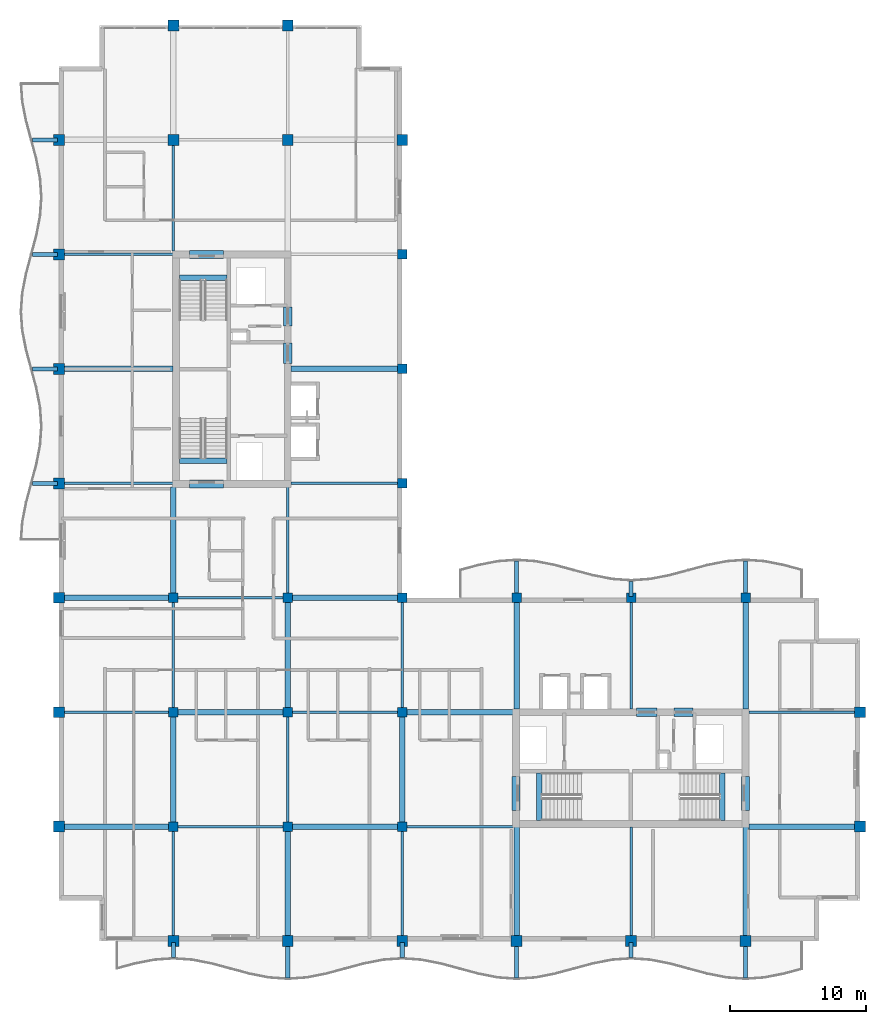
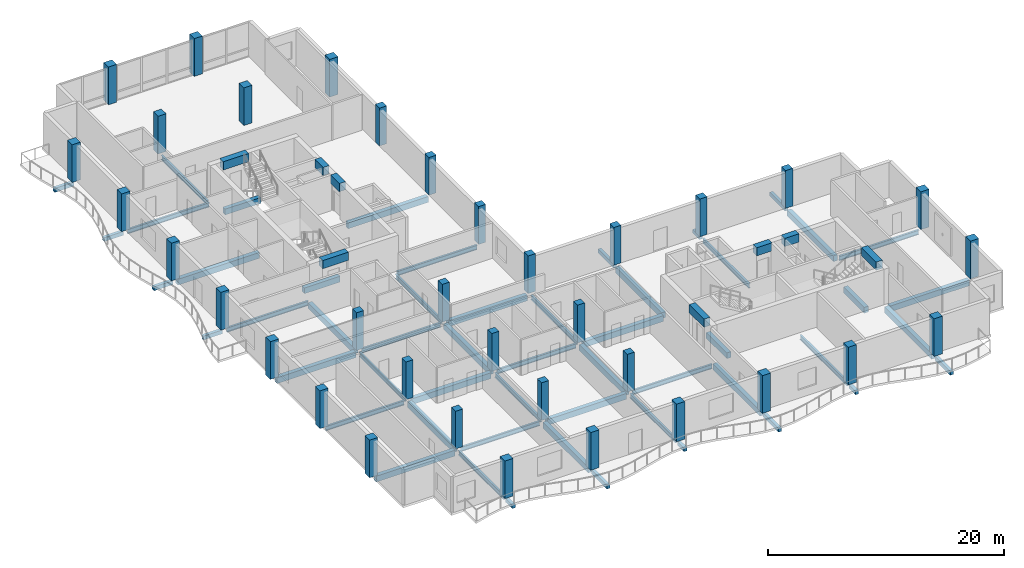
# One storey, part 1 of 17: 61 beams, 35 columns.
"""IFC4 building model written with IfcOpenShell, lengths in metres."""

from ifc_helpers import new_model, si_unit, direction, frame, origin, origin_2d, place, context, subcontext, project, spatial, rectangle, i_section, extrude, material, material_profile, profile_set, type_object, element, save


model = new_model("IFC4")

# Units and contexts
model_context = context("Model", 3, precision=1e-05, world=origin(), true_north=direction((0.0, 1.0)))
body_context = subcontext(model_context, "Body", "Model", "MODEL_VIEW")
ifc_project = project(units=[si_unit("LENGTHUNIT", "METRE"), si_unit("AREAUNIT", "SQUARE_METRE"), si_unit("VOLUMEUNIT", "CUBIC_METRE"), si_unit("PLANEANGLEUNIT", "RADIAN"), si_unit("MASSUNIT", "GRAM", prefix="KILO")], contexts=[model_context])

# Site, building, storey
site_placement = place(None, origin())
site = spatial("IfcSite", under=ifc_project, at=site_placement, CompositionType="ELEMENT")
building_placement = place(site_placement, origin())
building = spatial("IfcBuilding", under=site, at=building_placement, Name="Koriwani Terraces Tower", CompositionType="ELEMENT")
storey_placement = place(building_placement, frame((0.0, 0.0, 316.39990234375)))
storey = spatial("IfcBuildingStorey", under=building, at=storey_placement, Name="L78", CompositionType="ELEMENT", Elevation=316.39990234375)

# Columns
ifc_material_1 = material(Name="Concrete C50/60", Category="concrete")
ifc_material_profile_1 = material_profile(ifc_material_1, rectangle(XDim=0.699951171875, YDim=0.699951171875, at=origin_2d()), Name="Concrete C50/60", Category="LoadBearing")
ifc_profile_set_1 = profile_set([ifc_material_profile_1], Name="Concrete C50/60")
column_type_1 = type_object("IfcColumnType", Name="COL_RC_700X700", PredefinedType="COLUMN", material=ifc_profile_set_1)
for number, where, z_axis, x_axis, name in (
    (1, (16.800048828125, 16.800048828125, 0.0), (0.0, 0.0, 1.0), (1.0, 0.0, 0.0), "L78 Column 3/C"),
    (2, (16.800048828125, 25.199951171875, 0.0), (0.0, 0.0, 1.0), (1.0, 0.0, 0.0), "L78 Column 3/D"),
    (3, (16.800048828125, 33.60009765625, 0.0), (0.0, 0.0, 1.0), (1.0, 0.0, 0.0), "L78 Column 3/E"),
    (4, (25.199951171875, 16.800048828125, 0.0), (0.0, 0.0, 1.0), (1.0, 0.0, 0.0), "L78 Column 4/C"),
    (5, (25.199951171875, 25.199951171875, 0.0), (0.0, 0.0, 1.0), (1.0, 0.0, 0.0), "L78 Column 4/D"),
    (6, (25.199951171875, 33.60009765625, 0.0), (0.0, 0.0, 1.0), (1.0, 0.0, 0.0), "L78 Column 4/E"),
    (7, (33.60009765625, 16.800048828125, 0.0), (0.0, 0.0, 1.0), (1.0, 0.0, 0.0), "L78 Column 5/C"),
    (8, (33.60009765625, 25.199951171875, 0.0), (0.0, 0.0, 1.0), (1.0, 0.0, 0.0), "L78 Column 5/D"),
    (9, (33.60009765625, 33.60009765625, 0.0), (0.0, 0.0, 1.0), (1.0, 0.0, 0.0), "L78 Column 5/E"),
    (10, (33.60009765625, 42.0, 0.0), (0.0, 0.0, 1.0), (1.0, 0.0, 0.0), "L78 Column 5/F"),
    (11, (33.60009765625, 50.39990234375, 0.0), (0.0, 0.0, 1.0), (1.0, 0.0, 0.0), "L78 Column 5/G"),
    (12, (33.60009765625, 58.800048828125, 0.0), (0.0, 0.0, 1.0), (1.0, 0.0, 0.0), "L78 Column 5/H"),
    (13, (42.0, 33.60009765625, 0.0), (0.0, 0.0, 1.0), (1.0, 0.0, 0.0), "L78 Column 6/E"),
    (14, (50.39990234375, 33.60009765625, 0.0), (0.0, 0.0, 1.0), (1.0, 0.0, 0.0), "L78 Column 7/E"),
    (15, (58.800048828125, 33.60009765625, 0.0), (0.0, 0.0, 1.0), (1.0, 0.0, 0.0), "L78 Column 8/E"),
):
    element("IfcColumn", number, at=place(storey_placement, frame(where, z_axis=z_axis, x_axis=x_axis)), inside=storey, type_object=column_type_1, Name=name, PredefinedType="COLUMN", context=body_context, shape_type="SweptSolid", body=[
        extrude(rectangle(XDim=0.699951171875, YDim=0.699951171875, at=origin_2d()), origin(), (0.0, 0.0, 1.0), 3.900146484375),
    ])
ifc_material_profile_2 = material_profile(ifc_material_1, rectangle(XDim=0.800048828125, YDim=0.800048828125, at=origin_2d()), Name="Concrete C50/60", Category="LoadBearing")
ifc_profile_set_2 = profile_set([ifc_material_profile_2], Name="Concrete C50/60")
column_type_2 = type_object("IfcColumnType", Name="COL_RC_800X800", PredefinedType="COLUMN", material=ifc_profile_set_2)
for number, where, z_axis, x_axis, name in (
    (16, (8.39990234375, 16.800048828125, 0.0), (0.0, 0.0, 1.0), (1.0, 0.0, 0.0), "L78 Column 2/C"),
    (17, (8.39990234375, 25.199951171875, 0.0), (0.0, 0.0, 1.0), (1.0, 0.0, 0.0), "L78 Column 2/D"),
    (18, (8.39990234375, 33.60009765625, 0.0), (0.0, 0.0, 1.0), (1.0, 0.0, 0.0), "L78 Column 2/E"),
    (19, (8.39990234375, 42.0, 0.0), (0.0, 0.0, 1.0), (1.0, 0.0, 0.0), "L78 Column 2/F"),
    (20, (8.39990234375, 50.39990234375, 0.0), (0.0, 0.0, 1.0), (1.0, 0.0, 0.0), "L78 Column 2/G"),
    (21, (8.39990234375, 58.800048828125, 0.0), (0.0, 0.0, 1.0), (1.0, 0.0, 0.0), "L78 Column 2/H"),
    (22, (8.39990234375, 67.199951171875, 0.0), (0.0, 0.0, 1.0), (1.0, 0.0, 0.0), "L78 Column 2/I"),
    (23, (16.800048828125, 8.39990234375, 0.0), (0.0, 0.0, 1.0), (1.0, 0.0, 0.0), "L78 Column 3/B"),
    (24, (16.800048828125, 67.199951171875, 0.0), (0.0, 0.0, 1.0), (1.0, 0.0, 0.0), "L78 Column 3/I"),
    (25, (16.800048828125, 75.60009765625, 0.0), (0.0, 0.0, 1.0), (1.0, 0.0, 0.0), "L78 Column 3/J"),
    (26, (25.199951171875, 8.39990234375, 0.0), (0.0, 0.0, 1.0), (1.0, 0.0, 0.0), "L78 Column 4/B"),
    (27, (25.199951171875, 67.199951171875, 0.0), (0.0, 0.0, 1.0), (1.0, 0.0, 0.0), "L78 Column 4/I"),
    (28, (25.199951171875, 75.60009765625, 0.0), (0.0, 0.0, 1.0), (1.0, 0.0, 0.0), "L78 Column 4/J"),
    (29, (33.60009765625, 8.39990234375, 0.0), (0.0, 0.0, 1.0), (1.0, 0.0, 0.0), "L78 Column 5/B"),
    (30, (33.60009765625, 67.199951171875, 0.0), (0.0, 0.0, 1.0), (1.0, 0.0, 0.0), "L78 Column 5/I"),
    (31, (42.0, 8.39990234375, 0.0), (0.0, 0.0, 1.0), (1.0, 0.0, 0.0), "L78 Column 6/B"),
    (32, (50.39990234375, 8.39990234375, 0.0), (0.0, 0.0, 1.0), (1.0, 0.0, 0.0), "L78 Column 7/B"),
    (33, (58.800048828125, 8.39990234375, 0.0), (0.0, 0.0, 1.0), (1.0, 0.0, 0.0), "L78 Column 8/B"),
    (34, (67.199951171875, 16.800048828125, 0.0), (0.0, 0.0, 1.0), (1.0, 0.0, 0.0), "L78 Column 9/C"),
    (35, (67.199951171875, 25.199951171875, 0.0), (0.0, 0.0, 1.0), (1.0, 0.0, 0.0), "L78 Column 9/D"),
):
    element("IfcColumn", number, at=place(storey_placement, frame(where, z_axis=z_axis, x_axis=x_axis)), inside=storey, type_object=column_type_2, Name=name, PredefinedType="COLUMN", context=body_context, shape_type="SweptSolid", body=[
        extrude(rectangle(XDim=0.800048828125, YDim=0.800048828125, at=origin_2d()), origin(), (0.0, 0.0, 1.0), 3.900146484375),
    ])

# Beams
ifc_material_2 = material(Name="Concrete C40/50", Category="concrete")
ifc_material_profile_3 = material_profile(ifc_material_2, rectangle(XDim=0.300048828125, YDim=0.39990234375, at=origin_2d()), Name="Concrete C40/50", Category="LoadBearing")
ifc_profile_set_3 = profile_set([ifc_material_profile_3], Name="Concrete C40/50")
beam_type_1 = type_object("IfcBeamType", Name="BEAM_RC_BALCONY_RIB_300X400", PredefinedType="JOIST", material=ifc_profile_set_3)
beam_1_placement = place(storey_placement, frame((16.800048828125, 7.199951171875, -0.429931640625), z_axis=(0.0, 1.0, 0.0), x_axis=(-1.0, 0.0, 0.0)))
element("IfcBeam", 36, at=beam_1_placement, inside=storey, type_object=beam_type_1, Name="L78 Balcony Bracket Rib S-1", PredefinedType="JOIST", context=body_context, shape_type="SweptSolid", body=[
    extrude(rectangle(XDim=0.300048828125, YDim=0.39990234375, at=origin_2d()), origin(), (0.0, 0.0, 1.0), 1.10009765625),
])
beam_2_placement = place(storey_placement, frame((25.199951171875, 5.699951171875, -0.429931640625), z_axis=(0.0, 1.0, 0.0), x_axis=(-1.0, 0.0, 0.0)))
element("IfcBeam", 37, at=beam_2_placement, inside=storey, type_object=beam_type_1, Name="L78 Balcony Bracket Rib S-2", PredefinedType="JOIST", context=body_context, shape_type="SweptSolid", body=[
    extrude(rectangle(XDim=0.300048828125, YDim=0.39990234375, at=origin_2d()), origin(), (0.0, 0.0, 1.0), 2.60009765625),
])
beam_3_placement = place(storey_placement, frame((33.60009765625, 7.199951171875, -0.429931640625), z_axis=(0.0, 1.0, 0.0), x_axis=(-1.0, 0.0, 0.0)))
element("IfcBeam", 38, at=beam_3_placement, inside=storey, type_object=beam_type_1, Name="L78 Balcony Bracket Rib S-3", PredefinedType="JOIST", context=body_context, shape_type="SweptSolid", body=[
    extrude(rectangle(XDim=0.300048828125, YDim=0.39990234375, at=origin_2d()), origin(), (0.0, 0.0, 1.0), 1.10009765625),
])
beam_4_placement = place(storey_placement, frame((42.0, 5.699951171875, -0.429931640625), z_axis=(0.0, 1.0, 0.0), x_axis=(-1.0, 0.0, 0.0)))
element("IfcBeam", 39, at=beam_4_placement, inside=storey, type_object=beam_type_1, Name="L78 Balcony Bracket Rib S-4", PredefinedType="JOIST", context=body_context, shape_type="SweptSolid", body=[
    extrude(rectangle(XDim=0.300048828125, YDim=0.39990234375, at=origin_2d()), origin(), (0.0, 0.0, 1.0), 2.60009765625),
])
beam_5_placement = place(storey_placement, frame((50.39990234375, 7.199951171875, -0.429931640625), z_axis=(0.0, 1.0, 0.0), x_axis=(-1.0, 0.0, 0.0)))
element("IfcBeam", 40, at=beam_5_placement, inside=storey, type_object=beam_type_1, Name="L78 Balcony Bracket Rib S-5", PredefinedType="JOIST", context=body_context, shape_type="SweptSolid", body=[
    extrude(rectangle(XDim=0.300048828125, YDim=0.39990234375, at=origin_2d()), origin(), (0.0, 0.0, 1.0), 1.10009765625),
])
beam_6_placement = place(storey_placement, frame((58.800048828125, 5.699951171875, -0.429931640625), z_axis=(0.0, 1.0, 0.0), x_axis=(-1.0, 0.0, 0.0)))
element("IfcBeam", 41, at=beam_6_placement, inside=storey, type_object=beam_type_1, Name="L78 Balcony Bracket Rib S-6", PredefinedType="JOIST", context=body_context, shape_type="SweptSolid", body=[
    extrude(rectangle(XDim=0.300048828125, YDim=0.39990234375, at=origin_2d()), origin(), (0.0, 0.0, 1.0), 2.60009765625),
])
for number, where, z_axis, x_axis, name in (
    (42, (6.449951171875, 42.0, -0.429931640625), (1.0, 0.0, 0.0), (0.0, 1.0, 0.0), "L78 Balcony Bracket Rib W-1"),
    (43, (6.449951171875, 50.39990234375, -0.429931640625), (1.0, 0.0, 0.0), (0.0, 1.0, 0.0), "L78 Balcony Bracket Rib W-2"),
    (44, (6.449951171875, 58.800048828125, -0.429931640625), (1.0, 0.0, 0.0), (0.0, 1.0, 0.0), "L78 Balcony Bracket Rib W-3"),
    (45, (6.449951171875, 67.199951171875, -0.429931640625), (1.0, 0.0, 0.0), (0.0, 1.0, 0.0), "L78 Balcony Bracket Rib W-4"),
):
    element("IfcBeam", number, at=place(storey_placement, frame(where, z_axis=z_axis, x_axis=x_axis)), inside=storey, type_object=beam_type_1, Name=name, PredefinedType="JOIST", context=body_context, shape_type="SweptSolid", body=[
        extrude(rectangle(XDim=0.300048828125, YDim=0.39990234375, at=origin_2d()), origin(), (0.0, 0.0, 1.0), 1.85009765625),
    ])
beam_7_placement = place(storey_placement, frame((42.0, 33.699951171875, -0.429931640625), z_axis=(0.0, 1.0, 0.0), x_axis=(-1.0, 0.0, 0.0)))
element("IfcBeam", 46, at=beam_7_placement, inside=storey, type_object=beam_type_1, Name="L78 Balcony Bracket Rib NE-1", PredefinedType="JOIST", context=body_context, shape_type="SweptSolid", body=[
    extrude(rectangle(XDim=0.300048828125, YDim=0.39990234375, at=origin_2d()), origin(), (0.0, 0.0, 1.0), 2.60009765625),
])
beam_8_placement = place(storey_placement, frame((50.39990234375, 33.699951171875, -0.429931640625), z_axis=(0.0, 1.0, 0.0), x_axis=(-1.0, 0.0, 0.0)))
element("IfcBeam", 47, at=beam_8_placement, inside=storey, type_object=beam_type_1, Name="L78 Balcony Bracket Rib NE-2", PredefinedType="JOIST", context=body_context, shape_type="SweptSolid", body=[
    extrude(rectangle(XDim=0.300048828125, YDim=0.39990234375, at=origin_2d()), origin(), (0.0, 0.0, 1.0), 1.10009765625),
])
beam_9_placement = place(storey_placement, frame((58.800048828125, 33.699951171875, -0.429931640625), z_axis=(0.0, 1.0, 0.0), x_axis=(-1.0, 0.0, 0.0)))
element("IfcBeam", 48, at=beam_9_placement, inside=storey, type_object=beam_type_1, Name="L78 Balcony Bracket Rib NE-3", PredefinedType="JOIST", context=body_context, shape_type="SweptSolid", body=[
    extrude(rectangle(XDim=0.300048828125, YDim=0.39990234375, at=origin_2d()), origin(), (0.0, 0.0, 1.0), 2.60009765625),
])
ifc_material_profile_4 = material_profile(ifc_material_1, rectangle(XDim=0.60009765625, YDim=0.85009765625, at=origin_2d()), Name="Concrete C50/60", Category="LoadBearing")
ifc_profile_set_4 = profile_set([ifc_material_profile_4], Name="Concrete C50/60")
beam_type_2 = type_object("IfcBeamType", Name="BEAM_RC_COUPLING_600X850", PredefinedType="LINTEL", material=ifc_profile_set_4)
beam_10_placement = place(storey_placement, frame((25.199951171875, 50.800048828125, 3.2451171875), z_axis=(0.0, 1.0, 0.0), x_axis=(-1.0, 0.0, 0.0)))
element("IfcBeam", 49, at=beam_10_placement, inside=storey, type_object=beam_type_2, Name="L78 Core Coupling Lintel Beam WE1", PredefinedType="LINTEL", context=body_context, shape_type="SweptSolid", body=[
    extrude(rectangle(XDim=0.60009765625, YDim=0.85009765625, at=origin_2d()), origin(), (0.0, 0.0, 1.0), 1.47998046875),
])
beam_11_placement = place(storey_placement, frame((25.199951171875, 53.550048828125, 3.2451171875), z_axis=(0.0, 1.0, 0.0), x_axis=(-1.0, 0.0, 0.0)))
element("IfcBeam", 50, at=beam_11_placement, inside=storey, type_object=beam_type_2, Name="L78 Core Coupling Lintel Beam WE2", PredefinedType="LINTEL", context=body_context, shape_type="SweptSolid", body=[
    extrude(rectangle(XDim=0.60009765625, YDim=0.85009765625, at=origin_2d()), origin(), (0.0, 0.0, 1.0), 1.39990234375),
])
for number, where, z_axis, x_axis, name in (
    (51, (18.0, 41.949951171875, 3.2451171875), (1.0, 0.0, 0.0), (0.0, 1.0, 0.0), "L78 Core Coupling Lintel Beam WS"),
    (52, (18.0, 58.800048828125, 3.2451171875), (1.0, 0.0, 0.0), (0.0, 1.0, 0.0), "L78 Core Coupling Lintel Beam WN"),
):
    element("IfcBeam", number, at=place(storey_placement, frame(where, z_axis=z_axis, x_axis=x_axis)), inside=storey, type_object=beam_type_2, Name=name, PredefinedType="LINTEL", context=body_context, shape_type="SweptSolid", body=[
        extrude(rectangle(XDim=0.60009765625, YDim=0.85009765625, at=origin_2d()), origin(), (0.0, 0.0, 1.0), 2.5),
    ])
beam_12_placement = place(storey_placement, frame((50.800048828125, 25.199951171875, 3.2451171875), z_axis=(1.0, 0.0, 0.0), x_axis=(0.0, 1.0, 0.0)))
element("IfcBeam", 53, at=beam_12_placement, inside=storey, type_object=beam_type_2, Name="L78 Core Coupling Lintel Beam EN1", PredefinedType="LINTEL", context=body_context, shape_type="SweptSolid", body=[
    extrude(rectangle(XDim=0.60009765625, YDim=0.85009765625, at=origin_2d()), origin(), (0.0, 0.0, 1.0), 1.47998046875),
])
beam_13_placement = place(storey_placement, frame((53.550048828125, 25.199951171875, 3.2451171875), z_axis=(1.0, 0.0, 0.0), x_axis=(0.0, 1.0, 0.0)))
element("IfcBeam", 54, at=beam_13_placement, inside=storey, type_object=beam_type_2, Name="L78 Core Coupling Lintel Beam EN2", PredefinedType="LINTEL", context=body_context, shape_type="SweptSolid", body=[
    extrude(rectangle(XDim=0.60009765625, YDim=0.85009765625, at=origin_2d()), origin(), (0.0, 0.0, 1.0), 1.39990234375),
])
for number, where, z_axis, x_axis, name in (
    (55, (41.949951171875, 18.0, 3.2451171875), (0.0, 1.0, 0.0), (-1.0, 0.0, 0.0), "L78 Core Coupling Lintel Beam EW"),
    (56, (58.800048828125, 18.0, 3.2451171875), (0.0, 1.0, 0.0), (-1.0, 0.0, 0.0), "L78 Core Coupling Lintel Beam EE"),
):
    element("IfcBeam", number, at=place(storey_placement, frame(where, z_axis=z_axis, x_axis=x_axis)), inside=storey, type_object=beam_type_2, Name=name, PredefinedType="LINTEL", context=body_context, shape_type="SweptSolid", body=[
        extrude(rectangle(XDim=0.60009765625, YDim=0.85009765625, at=origin_2d()), origin(), (0.0, 0.0, 1.0), 2.5),
    ])
ifc_material_profile_5 = material_profile(ifc_material_2, rectangle(XDim=0.39990234375, YDim=0.60009765625, at=origin_2d()), Name="Concrete C40/50", Category="LoadBearing")
ifc_profile_set_5 = profile_set([ifc_material_profile_5], Name="Concrete C40/50")
beam_type_3 = type_object("IfcBeamType", Name="BEAM_RC_GRID_400X600", PredefinedType="BEAM", material=ifc_profile_set_5)
for number, where, z_axis, x_axis, name in (
    (57, (17.25, 43.655029296875, -0.2998046875), (1.0, 0.0, 0.0), (0.0, 1.0, 0.0), "L78 Stairwell Header Trimmer Beam ST-W1"),
    (58, (17.25, 57.094970703125, -0.2998046875), (1.0, 0.0, 0.0), (0.0, 1.0, 0.0), "L78 Stairwell Header Trimmer Beam ST-W2"),
    (59, (43.655029296875, 17.25, -0.2998046875), (0.0, 1.0, 0.0), (-1.0, 0.0, 0.0), "L78 Stairwell Header Trimmer Beam ST-E1"),
    (60, (57.094970703125, 17.25, -0.2998046875), (0.0, 1.0, 0.0), (-1.0, 0.0, 0.0), "L78 Stairwell Header Trimmer Beam ST-E2"),
):
    element("IfcBeam", number, at=place(storey_placement, frame(where, z_axis=z_axis, x_axis=x_axis)), inside=storey, type_object=beam_type_3, Name=name, PredefinedType="BEAM", context=body_context, shape_type="SweptSolid", body=[
        extrude(rectangle(XDim=0.39990234375, YDim=0.60009765625, at=origin_2d()), origin(), (0.0, 0.0, 1.0), 3.5),
    ])
beam_14_placement = place(storey_placement, frame((8.780029296875, 16.800048828125, -0.52978515625), z_axis=(1.0, 0.0, 0.0), x_axis=(0.0, 1.0, 0.0)))
element("IfcBeam", 61, at=beam_14_placement, inside=storey, type_object=beam_type_3, Name="L78 Grid Beam C (8.4-16.8m)", PredefinedType="BEAM", context=body_context, shape_type="SweptSolid", body=[
    extrude(rectangle(XDim=0.39990234375, YDim=0.60009765625, at=origin_2d()), origin(), (0.0, 0.0, 1.0), 7.68994140625),
])
beam_15_placement = place(storey_placement, frame((25.530029296875, 16.800048828125, -0.52978515625), z_axis=(1.0, 0.0, 0.0), x_axis=(0.0, 1.0, 0.0)))
element("IfcBeam", 62, at=beam_15_placement, inside=storey, type_object=beam_type_3, Name="L78 Grid Beam C (25.2-33.6m)", PredefinedType="BEAM", context=body_context, shape_type="SweptSolid", body=[
    extrude(rectangle(XDim=0.39990234375, YDim=0.60009765625, at=origin_2d()), origin(), (0.0, 0.0, 1.0), 7.739990234375),
])
beam_16_placement = place(storey_placement, frame((59.030029296875, 16.800048828125, -0.52978515625), z_axis=(1.0, 0.0, 0.0), x_axis=(0.0, 1.0, 0.0)))
element("IfcBeam", 63, at=beam_16_placement, inside=storey, type_object=beam_type_3, Name="L78 Grid Beam C (58.8-67.2m)", PredefinedType="BEAM", context=body_context, shape_type="SweptSolid", body=[
    extrude(rectangle(XDim=0.39990234375, YDim=0.60009765625, at=origin_2d()), origin(), (0.0, 0.0, 1.0), 7.7900390625),
])
beam_17_placement = place(storey_placement, frame((17.1298828125, 25.199951171875, -0.52978515625), z_axis=(1.0, 0.0, 0.0), x_axis=(0.0, 1.0, 0.0)))
element("IfcBeam", 64, at=beam_17_placement, inside=storey, type_object=beam_type_3, Name="L78 Grid Beam D (16.8-25.2m)", PredefinedType="BEAM", context=body_context, shape_type="SweptSolid", body=[
    extrude(rectangle(XDim=0.39990234375, YDim=0.60009765625, at=origin_2d()), origin(), (0.0, 0.0, 1.0), 7.740234375),
])
beam_18_placement = place(storey_placement, frame((33.929931640625, 25.199951171875, -0.52978515625), z_axis=(1.0, 0.0, 0.0), x_axis=(0.0, 1.0, 0.0)))
element("IfcBeam", 65, at=beam_18_placement, inside=storey, type_object=beam_type_3, Name="L78 Grid Beam D (33.6-42.0m)", PredefinedType="BEAM", context=body_context, shape_type="SweptSolid", body=[
    extrude(rectangle(XDim=0.39990234375, YDim=0.60009765625, at=origin_2d()), origin(), (0.0, 0.0, 1.0), 7.7900390625),
])
beam_19_placement = place(storey_placement, frame((8.780029296875, 33.60009765625, -0.52978515625), z_axis=(1.0, 0.0, 0.0), x_axis=(0.0, 1.0, 0.0)))
element("IfcBeam", 66, at=beam_19_placement, inside=storey, type_object=beam_type_3, Name="L78 Grid Beam E (8.4-16.8m)", PredefinedType="BEAM", context=body_context, shape_type="SweptSolid", body=[
    extrude(rectangle(XDim=0.39990234375, YDim=0.60009765625, at=origin_2d()), origin(), (0.0, 0.0, 1.0), 7.68994140625),
])
beam_20_placement = place(storey_placement, frame((25.530029296875, 33.60009765625, -0.52978515625), z_axis=(1.0, 0.0, 0.0), x_axis=(0.0, 1.0, 0.0)))
element("IfcBeam", 67, at=beam_20_placement, inside=storey, type_object=beam_type_3, Name="L78 Grid Beam E (25.2-33.6m)", PredefinedType="BEAM", context=body_context, shape_type="SweptSolid", body=[
    extrude(rectangle(XDim=0.39990234375, YDim=0.60009765625, at=origin_2d()), origin(), (0.0, 0.0, 1.0), 7.739990234375),
])
beam_21_placement = place(storey_placement, frame((8.780029296875, 50.39990234375, -0.52978515625), z_axis=(1.0, 0.0, 0.0), x_axis=(0.0, 1.0, 0.0)))
element("IfcBeam", 68, at=beam_21_placement, inside=storey, type_object=beam_type_3, Name="L78 Grid Beam G (8.4-16.8m)", PredefinedType="BEAM", context=body_context, shape_type="SweptSolid", body=[
    extrude(rectangle(XDim=0.39990234375, YDim=0.60009765625, at=origin_2d()), origin(), (0.0, 0.0, 1.0), 7.989990234375),
])
beam_22_placement = place(storey_placement, frame((25.429931640625, 50.39990234375, -0.52978515625), z_axis=(1.0, 0.0, 0.0), x_axis=(0.0, 1.0, 0.0)))
element("IfcBeam", 69, at=beam_22_placement, inside=storey, type_object=beam_type_3, Name="L78 Grid Beam G (25.2-33.6m)", PredefinedType="BEAM", context=body_context, shape_type="SweptSolid", body=[
    extrude(rectangle(XDim=0.39990234375, YDim=0.60009765625, at=origin_2d()), origin(), (0.0, 0.0, 1.0), 7.840087890625),
])
beam_23_placement = place(storey_placement, frame((16.800048828125, 17.1298828125, -0.52978515625), z_axis=(0.0, 1.0, 0.0), x_axis=(-1.0, 0.0, 0.0)))
element("IfcBeam", 70, at=beam_23_placement, inside=storey, type_object=beam_type_3, Name="L78 Grid Beam 3 (16.8-25.2m)", PredefinedType="BEAM", context=body_context, shape_type="SweptSolid", body=[
    extrude(rectangle(XDim=0.39990234375, YDim=0.60009765625, at=origin_2d()), origin(), (0.0, 0.0, 1.0), 7.740234375),
])
beam_24_placement = place(storey_placement, frame((16.800048828125, 33.929931640625, -0.52978515625), z_axis=(0.0, 1.0, 0.0), x_axis=(-1.0, 0.0, 0.0)))
element("IfcBeam", 71, at=beam_24_placement, inside=storey, type_object=beam_type_3, Name="L78 Grid Beam 3 (33.6-42.0m)", PredefinedType="BEAM", context=body_context, shape_type="SweptSolid", body=[
    extrude(rectangle(XDim=0.39990234375, YDim=0.60009765625, at=origin_2d()), origin(), (0.0, 0.0, 1.0), 7.7900390625),
])
beam_25_placement = place(storey_placement, frame((25.199951171875, 8.780029296875, -0.52978515625), z_axis=(0.0, 1.0, 0.0), x_axis=(-1.0, 0.0, 0.0)))
element("IfcBeam", 72, at=beam_25_placement, inside=storey, type_object=beam_type_3, Name="L78 Grid Beam 4 (8.4-16.8m)", PredefinedType="BEAM", context=body_context, shape_type="SweptSolid", body=[
    extrude(rectangle(XDim=0.39990234375, YDim=0.60009765625, at=origin_2d()), origin(), (0.0, 0.0, 1.0), 7.68994140625),
])
beam_26_placement = place(storey_placement, frame((25.199951171875, 25.530029296875, -0.52978515625), z_axis=(0.0, 1.0, 0.0), x_axis=(-1.0, 0.0, 0.0)))
element("IfcBeam", 73, at=beam_26_placement, inside=storey, type_object=beam_type_3, Name="L78 Grid Beam 4 (25.2-33.6m)", PredefinedType="BEAM", context=body_context, shape_type="SweptSolid", body=[
    extrude(rectangle(XDim=0.39990234375, YDim=0.60009765625, at=origin_2d()), origin(), (0.0, 0.0, 1.0), 7.739990234375),
])
beam_27_placement = place(storey_placement, frame((33.60009765625, 17.1298828125, -0.52978515625), z_axis=(0.0, 1.0, 0.0), x_axis=(-1.0, 0.0, 0.0)))
element("IfcBeam", 74, at=beam_27_placement, inside=storey, type_object=beam_type_3, Name="L78 Grid Beam 5 (16.8-25.2m)", PredefinedType="BEAM", context=body_context, shape_type="SweptSolid", body=[
    extrude(rectangle(XDim=0.39990234375, YDim=0.60009765625, at=origin_2d()), origin(), (0.0, 0.0, 1.0), 7.740234375),
])
beam_28_placement = place(storey_placement, frame((42.0, 8.780029296875, -0.52978515625), z_axis=(0.0, 1.0, 0.0), x_axis=(-1.0, 0.0, 0.0)))
element("IfcBeam", 75, at=beam_28_placement, inside=storey, type_object=beam_type_3, Name="L78 Grid Beam 6 (8.4-16.8m)", PredefinedType="BEAM", context=body_context, shape_type="SweptSolid", body=[
    extrude(rectangle(XDim=0.39990234375, YDim=0.60009765625, at=origin_2d()), origin(), (0.0, 0.0, 1.0), 7.989990234375),
])
beam_29_placement = place(storey_placement, frame((42.0, 25.429931640625, -0.52978515625), z_axis=(0.0, 1.0, 0.0), x_axis=(-1.0, 0.0, 0.0)))
element("IfcBeam", 76, at=beam_29_placement, inside=storey, type_object=beam_type_3, Name="L78 Grid Beam 6 (25.2-33.6m)", PredefinedType="BEAM", context=body_context, shape_type="SweptSolid", body=[
    extrude(rectangle(XDim=0.39990234375, YDim=0.60009765625, at=origin_2d()), origin(), (0.0, 0.0, 1.0), 7.840087890625),
])
beam_30_placement = place(storey_placement, frame((58.800048828125, 8.780029296875, -0.52978515625), z_axis=(0.0, 1.0, 0.0), x_axis=(-1.0, 0.0, 0.0)))
element("IfcBeam", 77, at=beam_30_placement, inside=storey, type_object=beam_type_3, Name="L78 Grid Beam 8 (8.4-16.8m)", PredefinedType="BEAM", context=body_context, shape_type="SweptSolid", body=[
    extrude(rectangle(XDim=0.39990234375, YDim=0.60009765625, at=origin_2d()), origin(), (0.0, 0.0, 1.0), 7.989990234375),
])
beam_31_placement = place(storey_placement, frame((58.800048828125, 25.429931640625, -0.52978515625), z_axis=(0.0, 1.0, 0.0), x_axis=(-1.0, 0.0, 0.0)))
element("IfcBeam", 78, at=beam_31_placement, inside=storey, type_object=beam_type_3, Name="L78 Grid Beam 8 (25.2-33.6m)", PredefinedType="BEAM", context=body_context, shape_type="SweptSolid", body=[
    extrude(rectangle(XDim=0.39990234375, YDim=0.60009765625, at=origin_2d()), origin(), (0.0, 0.0, 1.0), 7.840087890625),
])
ifc_material_3 = material(Name="Steel ASTM A572 Grade 50", Category="steel")
ifc_material_profile_6 = material_profile(ifc_material_3, i_section(OverallWidth=0.193115234375, OverallDepth=0.462890625, WebThickness=0.0107421875, FlangeThickness=0.017333984375, at=origin_2d()), Name="Steel ASTM A572 Grade 50", Category="LoadBearing")
ifc_profile_set_6 = profile_set([ifc_material_profile_6], Name="Steel ASTM A572 Grade 50")
beam_type_4 = type_object("IfcBeamType", Name="STEEL_BEAM_W460X113", PredefinedType="BEAM", material=ifc_profile_set_6)
beam_32_placement = place(storey_placement, frame((17.1298828125, 16.800048828125, -0.46142578125), z_axis=(1.0, 0.0, 0.0), x_axis=(0.0, 1.0, 0.0)))
element("IfcBeam", 79, at=beam_32_placement, inside=storey, type_object=beam_type_4, Name="L78 Grid Beam C (16.8-25.2m)", PredefinedType="BEAM", context=body_context, shape_type="SweptSolid", body=[
    extrude(i_section(OverallWidth=0.193115234375, OverallDepth=0.462890625, WebThickness=0.0107421875, FlangeThickness=0.017333984375, at=origin_2d()), origin(), (0.0, 0.0, 1.0), 7.740234375),
])
beam_33_placement = place(storey_placement, frame((33.929931640625, 16.800048828125, -0.46142578125), z_axis=(1.0, 0.0, 0.0), x_axis=(0.0, 1.0, 0.0)))
element("IfcBeam", 80, at=beam_33_placement, inside=storey, type_object=beam_type_4, Name="L78 Grid Beam C (33.6-42.0m)", PredefinedType="BEAM", context=body_context, shape_type="SweptSolid", body=[
    extrude(i_section(OverallWidth=0.193115234375, OverallDepth=0.462890625, WebThickness=0.0107421875, FlangeThickness=0.017333984375, at=origin_2d()), origin(), (0.0, 0.0, 1.0), 7.7900390625),
])
beam_34_placement = place(storey_placement, frame((8.780029296875, 25.199951171875, -0.46142578125), z_axis=(1.0, 0.0, 0.0), x_axis=(0.0, 1.0, 0.0)))
element("IfcBeam", 81, at=beam_34_placement, inside=storey, type_object=beam_type_4, Name="L78 Grid Beam D (8.4-16.8m)", PredefinedType="BEAM", context=body_context, shape_type="SweptSolid", body=[
    extrude(i_section(OverallWidth=0.193115234375, OverallDepth=0.462890625, WebThickness=0.0107421875, FlangeThickness=0.017333984375, at=origin_2d()), origin(), (0.0, 0.0, 1.0), 7.68994140625),
])
beam_35_placement = place(storey_placement, frame((25.530029296875, 25.199951171875, -0.46142578125), z_axis=(1.0, 0.0, 0.0), x_axis=(0.0, 1.0, 0.0)))
element("IfcBeam", 82, at=beam_35_placement, inside=storey, type_object=beam_type_4, Name="L78 Grid Beam D (25.2-33.6m)", PredefinedType="BEAM", context=body_context, shape_type="SweptSolid", body=[
    extrude(i_section(OverallWidth=0.193115234375, OverallDepth=0.462890625, WebThickness=0.0107421875, FlangeThickness=0.017333984375, at=origin_2d()), origin(), (0.0, 0.0, 1.0), 7.739990234375),
])
beam_36_placement = place(storey_placement, frame((59.030029296875, 25.199951171875, -0.46142578125), z_axis=(1.0, 0.0, 0.0), x_axis=(0.0, 1.0, 0.0)))
element("IfcBeam", 83, at=beam_36_placement, inside=storey, type_object=beam_type_4, Name="L78 Grid Beam D (58.8-67.2m)", PredefinedType="BEAM", context=body_context, shape_type="SweptSolid", body=[
    extrude(i_section(OverallWidth=0.193115234375, OverallDepth=0.462890625, WebThickness=0.0107421875, FlangeThickness=0.017333984375, at=origin_2d()), origin(), (0.0, 0.0, 1.0), 7.7900390625),
])
beam_37_placement = place(storey_placement, frame((17.1298828125, 33.60009765625, -0.46142578125), z_axis=(1.0, 0.0, 0.0), x_axis=(0.0, 1.0, 0.0)))
element("IfcBeam", 84, at=beam_37_placement, inside=storey, type_object=beam_type_4, Name="L78 Grid Beam E (16.8-25.2m)", PredefinedType="BEAM", context=body_context, shape_type="SweptSolid", body=[
    extrude(i_section(OverallWidth=0.193115234375, OverallDepth=0.462890625, WebThickness=0.0107421875, FlangeThickness=0.017333984375, at=origin_2d()), origin(), (0.0, 0.0, 1.0), 7.740234375),
])
beam_38_placement = place(storey_placement, frame((8.780029296875, 42.0, -0.46142578125), z_axis=(1.0, 0.0, 0.0), x_axis=(0.0, 1.0, 0.0)))
element("IfcBeam", 85, at=beam_38_placement, inside=storey, type_object=beam_type_4, Name="L78 Grid Beam F (8.4-16.8m)", PredefinedType="BEAM", context=body_context, shape_type="SweptSolid", body=[
    extrude(i_section(OverallWidth=0.193115234375, OverallDepth=0.462890625, WebThickness=0.0107421875, FlangeThickness=0.017333984375, at=origin_2d()), origin(), (0.0, 0.0, 1.0), 7.989990234375),
])
beam_39_placement = place(storey_placement, frame((25.429931640625, 42.0, -0.46142578125), z_axis=(1.0, 0.0, 0.0), x_axis=(0.0, 1.0, 0.0)))
element("IfcBeam", 86, at=beam_39_placement, inside=storey, type_object=beam_type_4, Name="L78 Grid Beam F (25.2-33.6m)", PredefinedType="BEAM", context=body_context, shape_type="SweptSolid", body=[
    extrude(i_section(OverallWidth=0.193115234375, OverallDepth=0.462890625, WebThickness=0.0107421875, FlangeThickness=0.017333984375, at=origin_2d()), origin(), (0.0, 0.0, 1.0), 7.840087890625),
])
beam_40_placement = place(storey_placement, frame((8.780029296875, 58.800048828125, -0.46142578125), z_axis=(1.0, 0.0, 0.0), x_axis=(0.0, 1.0, 0.0)))
element("IfcBeam", 87, at=beam_40_placement, inside=storey, type_object=beam_type_4, Name="L78 Grid Beam H (8.4-16.8m)", PredefinedType="BEAM", context=body_context, shape_type="SweptSolid", body=[
    extrude(i_section(OverallWidth=0.193115234375, OverallDepth=0.462890625, WebThickness=0.0107421875, FlangeThickness=0.017333984375, at=origin_2d()), origin(), (0.0, 0.0, 1.0), 7.989990234375),
])
beam_41_placement = place(storey_placement, frame((16.800048828125, 8.780029296875, -0.46142578125), z_axis=(0.0, 1.0, 0.0), x_axis=(-1.0, 0.0, 0.0)))
element("IfcBeam", 88, at=beam_41_placement, inside=storey, type_object=beam_type_4, Name="L78 Grid Beam 3 (8.4-16.8m)", PredefinedType="BEAM", context=body_context, shape_type="SweptSolid", body=[
    extrude(i_section(OverallWidth=0.193115234375, OverallDepth=0.462890625, WebThickness=0.0107421875, FlangeThickness=0.017333984375, at=origin_2d()), origin(), (0.0, 0.0, 1.0), 7.68994140625),
])
beam_42_placement = place(storey_placement, frame((16.800048828125, 25.530029296875, -0.46142578125), z_axis=(0.0, 1.0, 0.0), x_axis=(-1.0, 0.0, 0.0)))
element("IfcBeam", 89, at=beam_42_placement, inside=storey, type_object=beam_type_4, Name="L78 Grid Beam 3 (25.2-33.6m)", PredefinedType="BEAM", context=body_context, shape_type="SweptSolid", body=[
    extrude(i_section(OverallWidth=0.193115234375, OverallDepth=0.462890625, WebThickness=0.0107421875, FlangeThickness=0.017333984375, at=origin_2d()), origin(), (0.0, 0.0, 1.0), 7.739990234375),
])
beam_43_placement = place(storey_placement, frame((16.800048828125, 59.030029296875, -0.46142578125), z_axis=(0.0, 1.0, 0.0), x_axis=(-1.0, 0.0, 0.0)))
element("IfcBeam", 90, at=beam_43_placement, inside=storey, type_object=beam_type_4, Name="L78 Grid Beam 3 (58.8-67.2m)", PredefinedType="BEAM", context=body_context, shape_type="SweptSolid", body=[
    extrude(i_section(OverallWidth=0.193115234375, OverallDepth=0.462890625, WebThickness=0.0107421875, FlangeThickness=0.017333984375, at=origin_2d()), origin(), (0.0, 0.0, 1.0), 7.7900390625),
])
beam_44_placement = place(storey_placement, frame((25.199951171875, 17.1298828125, -0.46142578125), z_axis=(0.0, 1.0, 0.0), x_axis=(-1.0, 0.0, 0.0)))
element("IfcBeam", 91, at=beam_44_placement, inside=storey, type_object=beam_type_4, Name="L78 Grid Beam 4 (16.8-25.2m)", PredefinedType="BEAM", context=body_context, shape_type="SweptSolid", body=[
    extrude(i_section(OverallWidth=0.193115234375, OverallDepth=0.462890625, WebThickness=0.0107421875, FlangeThickness=0.017333984375, at=origin_2d()), origin(), (0.0, 0.0, 1.0), 7.740234375),
])
beam_45_placement = place(storey_placement, frame((25.199951171875, 33.929931640625, -0.46142578125), z_axis=(0.0, 1.0, 0.0), x_axis=(-1.0, 0.0, 0.0)))
element("IfcBeam", 92, at=beam_45_placement, inside=storey, type_object=beam_type_4, Name="L78 Grid Beam 4 (33.6-42.0m)", PredefinedType="BEAM", context=body_context, shape_type="SweptSolid", body=[
    extrude(i_section(OverallWidth=0.193115234375, OverallDepth=0.462890625, WebThickness=0.0107421875, FlangeThickness=0.017333984375, at=origin_2d()), origin(), (0.0, 0.0, 1.0), 7.7900390625),
])
beam_46_placement = place(storey_placement, frame((33.60009765625, 8.780029296875, -0.46142578125), z_axis=(0.0, 1.0, 0.0), x_axis=(-1.0, 0.0, 0.0)))
element("IfcBeam", 93, at=beam_46_placement, inside=storey, type_object=beam_type_4, Name="L78 Grid Beam 5 (8.4-16.8m)", PredefinedType="BEAM", context=body_context, shape_type="SweptSolid", body=[
    extrude(i_section(OverallWidth=0.193115234375, OverallDepth=0.462890625, WebThickness=0.0107421875, FlangeThickness=0.017333984375, at=origin_2d()), origin(), (0.0, 0.0, 1.0), 7.68994140625),
])
beam_47_placement = place(storey_placement, frame((33.60009765625, 25.530029296875, -0.46142578125), z_axis=(0.0, 1.0, 0.0), x_axis=(-1.0, 0.0, 0.0)))
element("IfcBeam", 94, at=beam_47_placement, inside=storey, type_object=beam_type_4, Name="L78 Grid Beam 5 (25.2-33.6m)", PredefinedType="BEAM", context=body_context, shape_type="SweptSolid", body=[
    extrude(i_section(OverallWidth=0.193115234375, OverallDepth=0.462890625, WebThickness=0.0107421875, FlangeThickness=0.017333984375, at=origin_2d()), origin(), (0.0, 0.0, 1.0), 7.739990234375),
])
beam_48_placement = place(storey_placement, frame((50.39990234375, 8.780029296875, -0.46142578125), z_axis=(0.0, 1.0, 0.0), x_axis=(-1.0, 0.0, 0.0)))
element("IfcBeam", 95, at=beam_48_placement, inside=storey, type_object=beam_type_4, Name="L78 Grid Beam 7 (8.4-16.8m)", PredefinedType="BEAM", context=body_context, shape_type="SweptSolid", body=[
    extrude(i_section(OverallWidth=0.193115234375, OverallDepth=0.462890625, WebThickness=0.0107421875, FlangeThickness=0.017333984375, at=origin_2d()), origin(), (0.0, 0.0, 1.0), 7.989990234375),
])
beam_49_placement = place(storey_placement, frame((50.39990234375, 25.429931640625, -0.46142578125), z_axis=(0.0, 1.0, 0.0), x_axis=(-1.0, 0.0, 0.0)))
element("IfcBeam", 96, at=beam_49_placement, inside=storey, type_object=beam_type_4, Name="L78 Grid Beam 7 (25.2-33.6m)", PredefinedType="BEAM", context=body_context, shape_type="SweptSolid", body=[
    extrude(i_section(OverallWidth=0.193115234375, OverallDepth=0.462890625, WebThickness=0.0107421875, FlangeThickness=0.017333984375, at=origin_2d()), origin(), (0.0, 0.0, 1.0), 7.840087890625),
])

save(model, "model.ifc")
